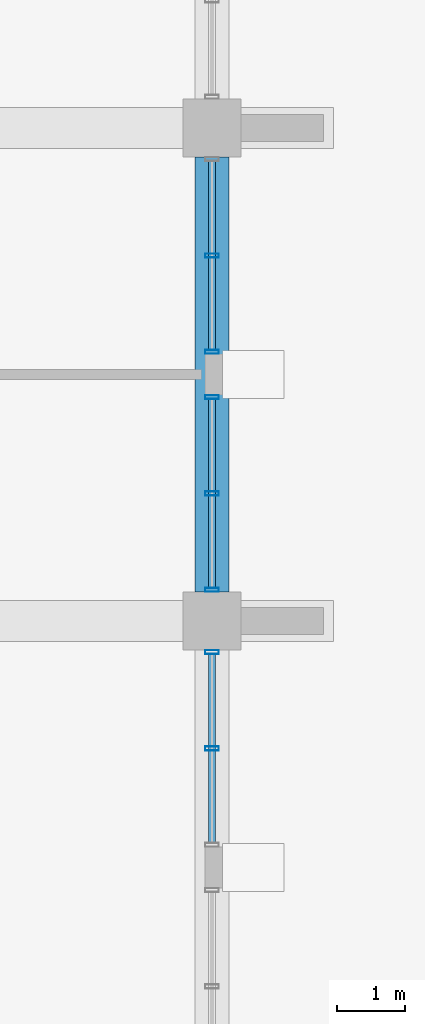
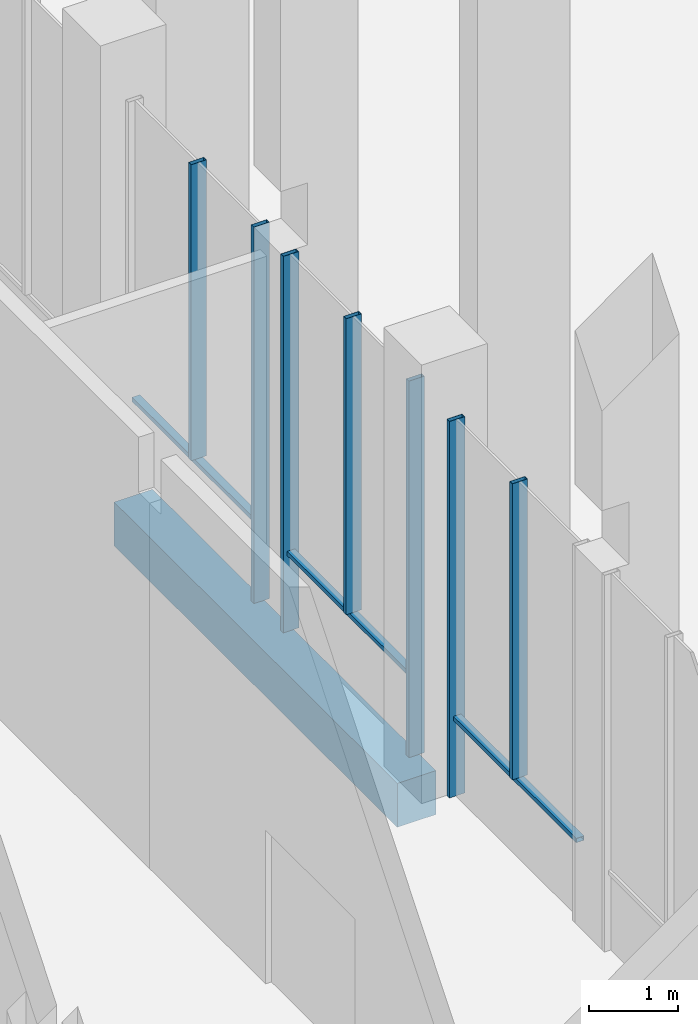
# One storey, part 20 of 50: 10 members, 1 beam, 3 elements without a shape of their own.
"""IFC4 building model written with IfcOpenShell, lengths in metres."""

from ifc_helpers import new_model, si_unit, direction, frame, origin, origin_2d, place, context, subcontext, project, spatial, rectangle, hollow_rectangle, extrude, material, material_profile, profile_set, type_object, element, aggregate, save


model = new_model("IFC4")

# Units and contexts
model_context = context("Model", 3, precision=1e-05, world=origin(), true_north=direction((0.0, 1.0)))
body_context = subcontext(model_context, "Body", "Model", "MODEL_VIEW")
ifc_project = project(units=[si_unit("LENGTHUNIT", "METRE"), si_unit("AREAUNIT", "SQUARE_METRE"), si_unit("VOLUMEUNIT", "CUBIC_METRE"), si_unit("PLANEANGLEUNIT", "RADIAN"), si_unit("MASSUNIT", "GRAM", prefix="KILO")], contexts=[model_context])

# Site, building, storey
site_placement = place(None, origin())
site = spatial("IfcSite", under=ifc_project, at=site_placement, CompositionType="ELEMENT")
building_placement = place(site_placement, origin())
building = spatial("IfcBuilding", under=site, at=building_placement, Name="Silangan Lancet Faculty of Sciences", CompositionType="ELEMENT")
storey_placement = place(building_placement, origin())
storey = spatial("IfcBuildingStorey", under=building, at=storey_placement, Name="L00", CompositionType="ELEMENT", Elevation=0.0)

# Beam
ifc_material_1 = material(Name="Concrete C40/50", Category="concrete")
ifc_material_profile_1 = material_profile(ifc_material_1, rectangle(XDim=0.5, YDim=0.60009765625, at=origin_2d()), Name="RC 500x600")
ifc_profile_set_1 = profile_set([ifc_material_profile_1], Name="Concrete C40/50")
beam_type = type_object("IfcBeamType", Name="BEAM RC 500x600", PredefinedType="BEAM", material=ifc_profile_set_1)
beam_placement = place(storey_placement, frame((86.39990234375, 29.22509765625, -0.60009765625), z_axis=(0.0, 1.0, 0.0), x_axis=(-1.0, 0.0, 0.0)))
element("IfcBeam", 1, at=beam_placement, inside=storey, type_object=beam_type, Name="BM-L00-13E-13F", PredefinedType="BEAM", context=body_context, shape_type="SweptSolid", body=[
    extrude(rectangle(XDim=0.5, YDim=0.60009765625, at=origin_2d()), origin(), (0.0, 0.0, 1.0), 6.349853515625),
])

# Curtain wall, members
ifc_material_2 = material(Name="Aluminium framed curtain wall with insulated glass", Category="aluminium")
curtain_wall_type = type_object("IfcCurtainWallType", Name="CW1 Commons and east block glazing", PredefinedType="NOTDEFINED", material=ifc_material_2)
curtain_wall_1_placement = place(storey_placement, origin())
curtain_wall_1 = element("IfcCurtainWall", 2, at=curtain_wall_1_placement, inside=storey, type_object=curtain_wall_type, Name="CW1 East commons L00 bay 6", PredefinedType="NOTDEFINED")
ifc_material_3 = material(Name="Aluminium 6063-T6 extrusion", Category="aluminium")
ifc_material_profile_2 = material_profile(ifc_material_3, hollow_rectangle(XDim=0.06005859375, YDim=0.199951171875, WallThickness=0.00390625, at=origin_2d()), Name="AL BOX 60x200x4")
ifc_profile_set_2 = profile_set([ifc_material_profile_2], Name="Aluminium 6063-T6 extrusion")
member_type_1 = type_object("IfcMemberType", Name="CM1 Mullion 60x200", PredefinedType="MULLION", material=ifc_profile_set_2)
member_1_placement = place(storey_placement, frame((86.39990234375, 28.344970703125, 0.0), z_axis=(0.0, 0.0, 1.0), x_axis=(0.0, 1.0, 0.0)))
member_1 = element("IfcMember", 3, at=member_1_placement, type_object=member_type_1, Name="CW1 East commons L00 bay 6 mullion 2", PredefinedType="MULLION", context=body_context, shape_type="SweptSolid", body=[
    extrude(hollow_rectangle(XDim=0.06005859375, YDim=0.199951171875, WallThickness=0.00390625, at=origin_2d()), origin(), (0.0, 0.0, 1.0), 5.14990234375),
])
member_2_placement = place(storey_placement, frame((86.39990234375, 26.9375, 1.10009765625), z_axis=(0.0, 0.0, 1.0), x_axis=(0.0, 1.0, 0.0)))
member_2 = element("IfcMember", 4, at=member_2_placement, type_object=member_type_1, Name="CW1 East commons L00 bay 6 mullion 3", PredefinedType="MULLION", context=body_context, shape_type="SweptSolid", body=[
    extrude(hollow_rectangle(XDim=0.06005859375, YDim=0.199951171875, WallThickness=0.00390625, at=origin_2d()), origin(), (0.0, 0.0, 1.0), 4.0498046875),
])

curtain_wall_2_placement = place(storey_placement, origin())
curtain_wall_2 = element("IfcCurtainWall", 5, at=curtain_wall_2_placement, inside=storey, type_object=curtain_wall_type, Name="CW1 East commons L00 bay 7", PredefinedType="NOTDEFINED")
member_3_placement = place(storey_placement, frame((86.39990234375, 29.2548828125, 0.0), z_axis=(0.0, 0.0, 1.0), x_axis=(0.0, 1.0, 0.0)))
member_3 = element("IfcMember", 6, at=member_3_placement, type_object=member_type_1, Name="CW1 East commons L00 bay 7 mullion 1", PredefinedType="MULLION", context=body_context, shape_type="SweptSolid", body=[
    extrude(hollow_rectangle(XDim=0.06005859375, YDim=0.199951171875, WallThickness=0.00390625, at=origin_2d()), origin(), (0.0, 0.0, 1.0), 5.14990234375),
])
member_4_placement = place(storey_placement, frame((86.39990234375, 32.06982421875, 0.0), z_axis=(0.0, 0.0, 1.0), x_axis=(0.0, 1.0, 0.0)))
member_4 = element("IfcMember", 7, at=member_4_placement, type_object=member_type_1, Name="CW1 East commons L00 bay 7 mullion 2", PredefinedType="MULLION", context=body_context, shape_type="SweptSolid", body=[
    extrude(hollow_rectangle(XDim=0.06005859375, YDim=0.199951171875, WallThickness=0.00390625, at=origin_2d()), origin(), (0.0, 0.0, 1.0), 5.14990234375),
])
member_5_placement = place(storey_placement, frame((86.39990234375, 30.662353515625, 1.10009765625), z_axis=(0.0, 0.0, 1.0), x_axis=(0.0, 1.0, 0.0)))
member_5 = element("IfcMember", 8, at=member_5_placement, type_object=member_type_1, Name="CW1 East commons L00 bay 7 mullion 3", PredefinedType="MULLION", context=body_context, shape_type="SweptSolid", body=[
    extrude(hollow_rectangle(XDim=0.06005859375, YDim=0.199951171875, WallThickness=0.00390625, at=origin_2d()), origin(), (0.0, 0.0, 1.0), 4.0498046875),
])

curtain_wall_3_placement = place(storey_placement, origin())
curtain_wall_3 = element("IfcCurtainWall", 9, at=curtain_wall_3_placement, inside=storey, type_object=curtain_wall_type, Name="CW1 East commons L00 bay 8", PredefinedType="NOTDEFINED")
member_6_placement = place(storey_placement, frame((86.39990234375, 32.72998046875, 0.0), z_axis=(0.0, 0.0, 1.0), x_axis=(0.0, 1.0, 0.0)))
member_6 = element("IfcMember", 10, at=member_6_placement, type_object=member_type_1, Name="CW1 East commons L00 bay 8 mullion 1", PredefinedType="MULLION", context=body_context, shape_type="SweptSolid", body=[
    extrude(hollow_rectangle(XDim=0.06005859375, YDim=0.199951171875, WallThickness=0.00390625, at=origin_2d()), origin(), (0.0, 0.0, 1.0), 5.14990234375),
])
member_7_placement = place(storey_placement, frame((86.39990234375, 34.137451171875, 1.10009765625), z_axis=(0.0, 0.0, 1.0), x_axis=(0.0, 1.0, 0.0)))
member_7 = element("IfcMember", 11, at=member_7_placement, type_object=member_type_1, Name="CW1 East commons L00 bay 8 mullion 3", PredefinedType="MULLION", context=body_context, shape_type="SweptSolid", body=[
    extrude(hollow_rectangle(XDim=0.06005859375, YDim=0.199951171875, WallThickness=0.00390625, at=origin_2d()), origin(), (0.0, 0.0, 1.0), 4.0498046875),
])

# Member
ifc_material_4 = material(Name="Aluminium 6063-T6 extrusion", Category="aluminium")
ifc_material_profile_3 = material_profile(ifc_material_4, hollow_rectangle(XDim=0.10009765625, YDim=0.06005859375, WallThickness=0.0029296875, at=origin_2d()), Name="AL BOX 100x60x3")
ifc_profile_set_3 = profile_set([ifc_material_profile_3], Name="Aluminium 6063-T6 extrusion")
member_type_2 = type_object("IfcMemberType", Name="CT1 Transom 100x60", PredefinedType="USERDEFINED", material=ifc_profile_set_3)
member_8_placement = place(storey_placement, frame((86.39990234375, 25.56005859375, 1.070068359375), z_axis=(0.0, 1.0, 0.0), x_axis=(-1.0, 0.0, 0.0)))
member_8 = element("IfcMember", 12, at=member_8_placement, type_object=member_type_2, Name="CW1 East commons L00 bay 6 transom 1", ObjectType="TRANSOM", PredefinedType="USERDEFINED", context=body_context, shape_type="SweptSolid", body=[
    extrude(hollow_rectangle(XDim=0.10009765625, YDim=0.06005859375, WallThickness=0.0029296875, at=origin_2d()), origin(), (0.0, 0.0, 1.0), 2.7548828125),
])

aggregate(curtain_wall_1, [member_1, member_2, member_8])

member_9_placement = place(storey_placement, frame((86.39990234375, 29.284912109375, 1.070068359375), z_axis=(0.0, 1.0, 0.0), x_axis=(-1.0, 0.0, 0.0)))
member_9 = element("IfcMember", 13, at=member_9_placement, type_object=member_type_2, Name="CW1 East commons L00 bay 7 transom 1", ObjectType="TRANSOM", PredefinedType="USERDEFINED", context=body_context, shape_type="SweptSolid", body=[
    extrude(hollow_rectangle(XDim=0.10009765625, YDim=0.06005859375, WallThickness=0.0029296875, at=origin_2d()), origin(), (0.0, 0.0, 1.0), 2.7548828125),
])

aggregate(curtain_wall_2, [member_3, member_4, member_5, member_9])

member_10_placement = place(storey_placement, frame((86.39990234375, 32.760009765625, 1.070068359375), z_axis=(0.0, 1.0, 0.0), x_axis=(-1.0, 0.0, 0.0)))
member_10 = element("IfcMember", 14, at=member_10_placement, type_object=member_type_2, Name="CW1 East commons L00 bay 8 transom 1", ObjectType="TRANSOM", PredefinedType="USERDEFINED", context=body_context, shape_type="SweptSolid", body=[
    extrude(hollow_rectangle(XDim=0.10009765625, YDim=0.06005859375, WallThickness=0.0029296875, at=origin_2d()), origin(), (0.0, 0.0, 1.0), 2.7548828125),
])

aggregate(curtain_wall_3, [member_6, member_7, member_10])

save(model, "model.ifc")
